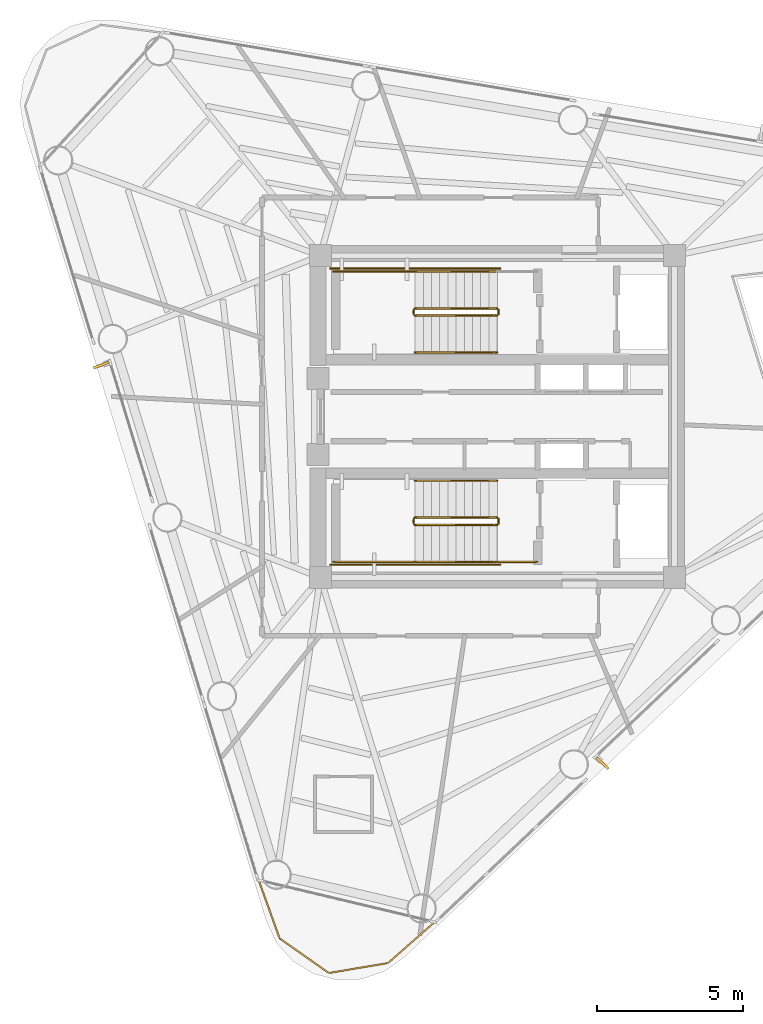
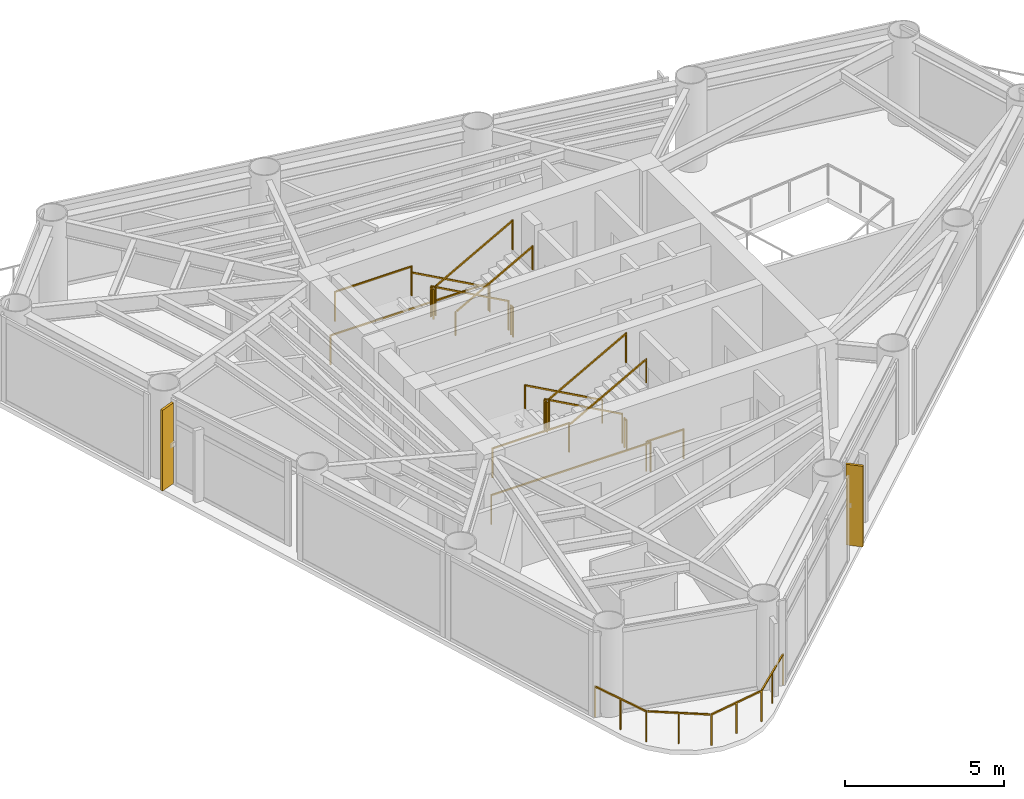
# One storey, part 8 of 9: 18 railings, 2 shading devices.
"""IFC4 building model written with IfcOpenShell, lengths in metres."""

import ifcopenshell
import ifcopenshell.guid

model = None  # the IFC model being written
_history = None  # IfcOwnerHistory: only IFC2X3 demands one
_inside = {}  # id of a spatial element -> (the spatial element, [elements in it])
_under = {}  # id of a project, library or spatial element -> (it, [spatial elements below it])
_declared = {}  # id of a project -> (the project, [libraries it declares])
_typed = {}  # id of a type object -> (the type object, [elements of that type])
_made_of = {}  # id of a material, layer set ... -> (it, [elements and type objects made of it])


def new_model(schema):
    """Start an empty IFC model of exactly this schema.

    Asked for "IFC4X3", IfcOpenShell would pick the latest addendum, in which some entities
    have other attributes; the version numbers below select the first issue.
    IFC2X3 requires an IfcOwnerHistory on every rooted entity: one is made here for all.
    """
    global model, _history
    if schema == "IFC4X3":
        model = ifcopenshell.file(schema_version=(4, 3, 0, 0))
    else:
        model = ifcopenshell.file(schema=schema)
    _inside.clear()
    _under.clear()
    _declared.clear()
    _typed.clear()
    _made_of.clear()
    _history = None
    if model.schema == "IFC2X3":
        org = make("IfcOrganization", Name="unknown")
        user = make(
            "IfcPersonAndOrganization",
            ThePerson=make("IfcPerson", FamilyName="unknown"),
            TheOrganization=org,
        )
        app = make(
            "IfcApplication",
            ApplicationDeveloper=org,
            Version="unknown",
            ApplicationFullName="unknown",
            ApplicationIdentifier="unknown",
        )
        _history = make(
            "IfcOwnerHistory",
            OwningUser=user,
            OwningApplication=app,
            ChangeAction="ADDED",
            CreationDate=0,
        )
    return model


def make(cls, **values):
    """One entity of the class cls with the attributes given. An attribute that is None is left unset."""
    return model.create_entity(
        cls, **{name: value for name, value in values.items() if value is not None}
    )


def rooted(cls, **values):
    """An entity with a GlobalId (a new one), such as an element, a storey or a relation."""
    return make(cls, GlobalId=ifcopenshell.guid.new(), OwnerHistory=_history, **values)


def si_unit(unit_type, name, prefix=None):
    """IfcSIUnit, for example si_unit("LENGTHUNIT", "METRE", prefix="MILLI")."""
    return make("IfcSIUnit", UnitType=unit_type, Prefix=prefix, Name=name)


def assignment(units):
    """IfcUnitAssignment: the units of a project."""
    return None if units is None else make("IfcUnitAssignment", Units=units)


def point(xyz):
    """IfcCartesianPoint."""
    return None if xyz is None else make("IfcCartesianPoint", Coordinates=xyz)


def direction(xyz):
    """IfcDirection."""
    return None if xyz is None else make("IfcDirection", DirectionRatios=xyz)


def frame(location, z_axis=None, x_axis=None):
    """IfcAxis2Placement3D, a coordinate frame: its origin and axes. An axis left out is left unset."""
    return make(
        "IfcAxis2Placement3D",
        Location=point(location),
        Axis=direction(z_axis),
        RefDirection=direction(x_axis),
    )


def frame_2d(location, x_axis=None):
    """IfcAxis2Placement2D, a coordinate frame in the plane: its origin and x axis."""
    return make(
        "IfcAxis2Placement2D", Location=point(location), RefDirection=direction(x_axis)
    )


def origin():
    """The frame at (0, 0, 0) with its axes left unset."""
    return frame((0.0, 0.0, 0.0))


def origin_2d():
    """The frame at (0, 0) in the plane with its x axis left unset."""
    return frame_2d((0.0, 0.0))


def place(relative_to, where):
    """IfcLocalPlacement: puts the frame where relative to a parent placement (None: the world)."""
    return make(
        "IfcLocalPlacement", PlacementRelTo=relative_to, RelativePlacement=where
    )


def context(
    kind, dimensions, precision=None, world=None, true_north=None, identifier=None
):
    """IfcGeometricRepresentationContext, for example the 3D "Model" context."""
    return make(
        "IfcGeometricRepresentationContext",
        ContextIdentifier=identifier,
        ContextType=kind,
        CoordinateSpaceDimension=dimensions,
        Precision=precision,
        WorldCoordinateSystem=world,
        TrueNorth=true_north,
    )


def subcontext(parent, identifier, kind, view, scale=None):
    """IfcGeometricRepresentationSubContext, for example "Body" below "Model"."""
    return make(
        "IfcGeometricRepresentationSubContext",
        ContextIdentifier=identifier,
        ContextType=kind,
        ParentContext=parent,
        TargetScale=scale,
        TargetView=view,
    )


def project(units=None, contexts=None):
    """IfcProject with its units and contexts."""
    return rooted(
        "IfcProject",
        Name="project",
        RepresentationContexts=contexts,
        UnitsInContext=assignment(units),
    )


def spatial(cls, under=None, at=None, **own):
    """A site, building, storey or space (cls), placed at a placement, below another one or the project."""
    s = rooted(cls, ObjectPlacement=at, **own)
    if under is not None:
        _under.setdefault(under.id(), (under, []))[1].append(s)
    return s


def profile(cls, at=None, kind="AREA", **sizes):
    """A parametric profile (cls). Its sizes go by their IFC names, for example OverallWidth=200.0."""
    return make(cls, ProfileType=kind, Position=at, **sizes)


def rectangle(**sizes):
    """IfcRectangleProfileDef."""
    return profile("IfcRectangleProfileDef", **sizes)


def extrude(swept, where, along, depth):
    """IfcExtrudedAreaSolid: the profile swept, set in the frame where, extruded along a direction by depth."""
    return make(
        "IfcExtrudedAreaSolid",
        SweptArea=swept,
        Position=where,
        ExtrudedDirection=direction(along),
        Depth=depth,
    )


def shape(context_of_items, identifier, shape_type, items):
    """IfcShapeRepresentation: the items that make up one representation, for example the "Body"."""
    return make(
        "IfcShapeRepresentation",
        ContextOfItems=context_of_items,
        RepresentationIdentifier=identifier,
        RepresentationType=shape_type,
        Items=items,
    )


def source(mapping_origin, context_of_items, identifier, shape_type, items):
    """IfcRepresentationMap: a shape defined once, which mapped items show again and again."""
    return make(
        "IfcRepresentationMap",
        MappingOrigin=mapping_origin,
        MappedRepresentation=shape(context_of_items, identifier, shape_type, items),
    )


def transform(
    local_origin,
    x_axis=None,
    y_axis=None,
    z_axis=None,
    scale=None,
    scale2=None,
    scale3=None,
    uniform=True,
):
    """IfcCartesianTransformationOperator3D, or its non-uniform kind. x_axis, y_axis, z_axis: its Axis1, 2, 3."""
    if uniform:
        return make(
            "IfcCartesianTransformationOperator3D",
            Axis1=direction(x_axis),
            Axis2=direction(y_axis),
            LocalOrigin=point(local_origin),
            Scale=scale,
            Axis3=direction(z_axis),
        )
    return make(
        "IfcCartesianTransformationOperator3DnonUniform",
        Axis1=direction(x_axis),
        Axis2=direction(y_axis),
        LocalOrigin=point(local_origin),
        Scale=scale,
        Axis3=direction(z_axis),
        Scale2=scale2,
        Scale3=scale3,
    )


def mapped(mapping_source, mapping_target):
    """IfcMappedItem: shows the shape of a source again, moved by a transform."""
    return make(
        "IfcMappedItem", MappingSource=mapping_source, MappingTarget=mapping_target
    )


def material(Name=None, Category=None):
    """IfcMaterial."""
    return make("IfcMaterial", Name=Name, Category=Category)


def material_profile(
    of_material, cross_section, Name=None, Category=None, Priority=None
):
    """IfcMaterialProfile: a cross section and its material."""
    return make(
        "IfcMaterialProfile",
        Name=Name,
        Material=of_material,
        Profile=cross_section,
        Priority=Priority,
        Category=Category,
    )


def profile_set(profiles, Name=None, composite=None):
    """IfcMaterialProfileSet."""
    return make(
        "IfcMaterialProfileSet",
        Name=Name,
        MaterialProfiles=profiles,
        CompositeProfile=composite,
    )


def made_of(thing, what):
    """Note that an element or type object is made of a material, layer set ...; save() writes the relation."""
    if what is not None:
        _made_of.setdefault(what.id(), (what, []))[1].append(thing)
    return thing


def type_object(cls, material=None, **own):
    """A type object (cls), such as IfcWallType, which elements share."""
    return made_of(rooted(cls, **own), material)


def element(
    cls,
    number,
    at=None,
    inside=None,
    cuts=None,
    type_object=None,
    material=None,
    context=None,
    identifier="Body",
    shape_type=None,
    held_by="IfcProductDefinitionShape",
    body=None,
    shapes=None,
    **own,
):
    """One element of the class cls, such as IfcWall. Its Tag is "e" and its number.

    at: its placement. inside: the storey or other place that contains it. cuts: it is an
    opening in that element (IfcRelVoidsElement). A single representation is given by context,
    identifier, shape_type and body (its items); several are given by shapes. held_by: the class
    of the entity that holds the representations. save() writes the other relations.
    """
    e = rooted(cls, Tag="e%d" % number, ObjectPlacement=at, **own)
    if body is not None:
        shapes = [shape(context, identifier, shape_type, body)]
    if shapes is not None:
        e.Representation = make(held_by, Representations=shapes)
    if inside is not None:
        _inside.setdefault(inside.id(), (inside, []))[1].append(e)
    if cuts is not None:
        rooted(
            "IfcRelVoidsElement", RelatingBuildingElement=cuts, RelatedOpeningElement=e
        )
    if type_object is not None:
        _typed.setdefault(type_object.id(), (type_object, []))[1].append(e)
    return made_of(e, material)


def aggregate(whole, parts):
    """IfcRelAggregates: a whole, such as a stair, and the parts it consists of."""
    return rooted("IfcRelAggregates", RelatingObject=whole, RelatedObjects=parts)


def save(model, path):
    """Write the relations noted so far, then the file.

    IfcRelAggregates (storeys below a building ...), IfcRelContainedInSpatialStructure (elements
    in a storey), IfcRelDefinesByType, IfcRelAssociatesMaterial and IfcRelDeclares: one each for
    every whole, place, type object, material and project.
    """
    for whole, parts in _under.values():
        aggregate(whole, parts)
    for where, things in _inside.values():
        rooted(
            "IfcRelContainedInSpatialStructure",
            RelatedElements=things,
            RelatingStructure=where,
        )
    for kind, things in _typed.values():
        rooted("IfcRelDefinesByType", RelatedObjects=things, RelatingType=kind)
    for what, things in _made_of.values():
        rooted("IfcRelAssociatesMaterial", RelatedObjects=things, RelatingMaterial=what)
    for by, libraries in _declared.values():
        rooted("IfcRelDeclares", RelatingContext=by, RelatedDefinitions=libraries)
    model.write(path)


model = new_model("IFC4")

# Units and contexts
model_context = context("Model", 3, precision=1e-05, world=origin(), true_north=direction((0.0, 1.0)))
body_context = subcontext(model_context, "Body", "Model", "MODEL_VIEW")
ifc_project = project(units=[si_unit("LENGTHUNIT", "METRE"), si_unit("AREAUNIT", "SQUARE_METRE"), si_unit("VOLUMEUNIT", "CUBIC_METRE"), si_unit("PLANEANGLEUNIT", "RADIAN"), si_unit("MASSUNIT", "GRAM", prefix="KILO")], contexts=[model_context])

# Site, building, storey
site_placement = place(None, origin())
site = spatial("IfcSite", under=ifc_project, at=site_placement, CompositionType="ELEMENT")
building_placement = place(site_placement, origin())
building = spatial("IfcBuilding", under=site, at=building_placement, Name="Yunling Apex Tower", CompositionType="ELEMENT")
storey_placement = place(building_placement, frame((0.0, 0.0, 232.050048828125)))
storey = spatial("IfcBuildingStorey", under=building, at=storey_placement, Name="L56", CompositionType="ELEMENT", Elevation=232.050048828125)

# Railings
ifc_material_1 = material(Name="Bronze anodised aluminium", Category="aluminium")
railing_type_1 = type_object("IfcRailingType", Name="RL-BAL-1200", PredefinedType="BALUSTRADE", material=ifc_material_1)
railing_1_placement = place(storey_placement, frame((-2.147216796875, -17.2724609375, 0.0)))
element("IfcRailing", 1, at=railing_1_placement, inside=storey, type_object=railing_type_1, Name="RL-CRNSILL-L56-3", PredefinedType="BALUSTRADE", context=body_context, shape_type="SweptSolid", body=[
    extrude(rectangle(XDim=0.0439453125, YDim=0.0439453125, at=origin_2d()), origin(), (0.0, 0.0, 1.0), 1.199951171875),
    extrude(rectangle(XDim=0.0439453125, YDim=0.0439453125, at=origin_2d()), frame((-1.58740234375, -1.396728515625, 0.0)), (0.0, 0.0, 1.0), 1.199951171875),
    extrude(rectangle(XDim=0.050048828125, YDim=0.050048828125, at=origin_2d()), frame((-0.02880859375, -0.025390625, 1.1748046875), z_axis=(-0.750757036125, -0.660578437968, 0.0), x_axis=(0.660578437968, -0.750757036125, 0.0)), (0.0, 0.0, 1.0), 2.037841796875),
    extrude(rectangle(XDim=0.0439453125, YDim=0.0439453125, at=origin_2d()), frame((-0.793701171875, -0.6982421875, 0.0)), (0.0, 0.0, 1.0), 1.14599609375),
    extrude(rectangle(XDim=0.0439453125, YDim=0.0439453125, at=origin_2d()), frame((-3.609130859375, -1.738525390625, 0.0)), (0.0, 0.0, 1.0), 1.199951171875),
    extrude(rectangle(XDim=0.050048828125, YDim=0.050048828125, at=origin_2d()), frame((-1.625244140625, -1.403076171875, 1.1748046875), z_axis=(-0.986008296857, -0.166696246299, 0.0), x_axis=(0.166696246299, -0.986008296857, 0.0)), (0.0, 0.0, 1.0), 1.973876953125),
    extrude(rectangle(XDim=0.0439453125, YDim=0.0439453125, at=origin_2d()), frame((-2.59814453125, -1.567626953125, 0.0)), (0.0, 0.0, 1.0), 1.14599609375),
    extrude(rectangle(XDim=0.0439453125, YDim=0.0439453125, at=origin_2d()), frame((-5.29296875, -0.556884765625, 0.0)), (0.0, 0.0, 1.0), 1.199951171875),
    extrude(rectangle(XDim=0.050048828125, YDim=0.050048828125, at=origin_2d()), frame((-3.640625, -1.716552734375, 1.1748046875), z_axis=(-0.818556692462, 0.574425749096, 0.0), x_axis=(-0.574425749096, -0.818556692462, 0.0)), (0.0, 0.0, 1.0), 1.98046875),
    extrude(rectangle(XDim=0.0439453125, YDim=0.0439453125, at=origin_2d()), frame((-4.451171875, -1.147705078125, 0.0)), (0.0, 0.0, 1.0), 1.14599609375),
    extrude(rectangle(XDim=0.0439453125, YDim=0.0439453125, at=origin_2d()), frame((-6.0087890625, 1.431884765625, 0.0)), (0.0, 0.0, 1.0), 1.199951171875),
    extrude(rectangle(XDim=0.050048828125, YDim=0.050048828125, at=origin_2d()), frame((-5.305908203125, -0.520751953125, 1.1748046875), z_axis=(-0.338662205699, 0.940908024427, 0.0), x_axis=(-0.940908024427, -0.338662205699, 0.0)), (0.0, 0.0, 1.0), 2.037109375),
    extrude(rectangle(XDim=0.0439453125, YDim=0.0439453125, at=origin_2d()), frame((-5.65087890625, 0.4375, 0.0)), (0.0, 0.0, 1.0), 1.14599609375),
])
ifc_material_2 = material(Name="Steel Q355B", Category="steel")
railing_type_2 = type_object("IfcRailingType", Name="RL-GRD-1150", PredefinedType="GUARDRAIL", material=ifc_material_2)
railing_2_placement = place(storey_placement, frame((-0.010009765625, 3.699951171875, 0.154541015625)))
element("IfcRailing", 2, at=railing_2_placement, inside=storey, type_object=railing_type_2, Name="L56 ST-1 stair guard 1", PredefinedType="GUARDRAIL", context=body_context, shape_type="SweptSolid", body=[
    extrude(rectangle(XDim=0.0439453125, YDim=0.0439453125, at=origin_2d()), origin(), (0.0, 0.0, 1.0), 1.14990234375),
    extrude(rectangle(XDim=0.0439453125, YDim=0.0439453125, at=origin_2d()), frame((-2.800048828125, 0.0, 1.54541015625)), (0.0, 0.0, 1.0), 1.14990234375),
    extrude(rectangle(XDim=0.050048828125, YDim=0.050048828125, at=origin_2d()), frame((-0.033447265625, 0.0, 1.143310546875), z_axis=(-0.875504190374, 0.0, 0.483210526207), x_axis=(0.0, -1.0, 0.0)), (0.0, 0.0, 1.0), 3.12158203125),
])
railing_3_placement = place(storey_placement, frame((-2.860107421875, 3.64990234375, 1.699951171875)))
element("IfcRailing", 3, at=railing_3_placement, inside=storey, type_object=railing_type_2, Name="L56 ST-1 stair guard 2", PredefinedType="GUARDRAIL", context=body_context, shape_type="SweptSolid", body=[
    extrude(rectangle(XDim=0.0439453125, YDim=0.0439453125, at=origin_2d()), origin(), (0.0, 0.0, 1.0), 1.14990234375),
    extrude(rectangle(XDim=0.0439453125, YDim=0.0439453125, at=origin_2d()), frame((0.0, -0.14990234375, 0.0)), (0.0, 0.0, 1.0), 1.14990234375),
    extrude(rectangle(XDim=0.050048828125, YDim=0.050048828125, at=origin_2d()), frame((0.0, -0.038330078125, 1.125), z_axis=(0.0, -1.0, 0.0), x_axis=(1.0, 0.0, 0.0)), (0.0, 0.0, 1.0), 0.0732421875),
])
railing_4_placement = place(storey_placement, frame((-2.81005859375, 4.9599609375, 1.699951171875)))
element("IfcRailing", 4, at=railing_4_placement, inside=storey, type_object=railing_type_2, Name="L56 ST-1 stair guard 3", PredefinedType="GUARDRAIL", context=body_context, shape_type="SweptSolid", body=[
    extrude(rectangle(XDim=0.0439453125, YDim=0.0439453125, at=origin_2d()), origin(), (0.0, 0.0, 1.0), 1.14990234375),
    extrude(rectangle(XDim=0.0439453125, YDim=0.0439453125, at=origin_2d()), frame((-2.7900390625, 0.0, 0.0)), (0.0, 0.0, 1.0), 1.14990234375),
    extrude(rectangle(XDim=0.050048828125, YDim=0.050048828125, at=origin_2d()), frame((-0.038330078125, 0.0, 1.125), z_axis=(-1.0, 0.0, 0.0), x_axis=(0.0, -1.0, 0.0)), (0.0, 0.0, 1.0), 2.71337890625),
])
railing_5_placement = place(storey_placement, frame((-2.81005859375, 3.449951171875, 1.8544921875)))
element("IfcRailing", 5, at=railing_5_placement, inside=storey, type_object=railing_type_2, Name="L56 ST-1 stair guard 4", PredefinedType="GUARDRAIL", context=body_context, shape_type="SweptSolid", body=[
    extrude(rectangle(XDim=0.0439453125, YDim=0.0439453125, at=origin_2d()), origin(), (0.0, 0.0, 1.0), 1.14990234375),
    extrude(rectangle(XDim=0.0439453125, YDim=0.0439453125, at=origin_2d()), frame((2.800048828125, 0.0, 1.54541015625)), (0.0, 0.0, 1.0), 1.14990234375),
    extrude(rectangle(XDim=0.050048828125, YDim=0.050048828125, at=origin_2d()), frame((0.033447265625, 0.0, 1.143310546875), z_axis=(0.875504190374, 0.0, 0.483210526207), x_axis=(0.0, 1.0, 0.0)), (0.0, 0.0, 1.0), 3.12158203125),
])
railing_6_placement = place(storey_placement, frame((0.0400390625, 3.64990234375, 0.0)))
element("IfcRailing", 6, at=railing_6_placement, inside=storey, type_object=railing_type_2, Name="L56 ST-1 stair guard 5", PredefinedType="GUARDRAIL", context=body_context, shape_type="SweptSolid", body=[
    extrude(rectangle(XDim=0.0439453125, YDim=0.0439453125, at=origin_2d()), origin(), (0.0, 0.0, 1.0), 1.14990234375),
    extrude(rectangle(XDim=0.0439453125, YDim=0.0439453125, at=origin_2d()), frame((0.0, -0.14990234375, 0.0)), (0.0, 0.0, 1.0), 1.14990234375),
    extrude(rectangle(XDim=0.050048828125, YDim=0.050048828125, at=origin_2d()), frame((0.0, -0.038330078125, 1.125), z_axis=(0.0, -1.0, 0.0), x_axis=(1.0, 0.0, 0.0)), (0.0, 0.0, 1.0), 0.0732421875),
])
railing_7_placement = place(storey_placement, frame((0.090087890625, 5.06005859375, 0.0)))
element("IfcRailing", 7, at=railing_7_placement, inside=storey, type_object=railing_type_2, Name="L56 ST-1 stair guard 7", PredefinedType="GUARDRAIL", context=body_context, shape_type="SweptSolid", body=[
    extrude(rectangle(XDim=0.0439453125, YDim=0.0439453125, at=origin_2d()), origin(), (0.0, 0.0, 1.0), 1.14990234375),
    extrude(rectangle(XDim=0.0439453125, YDim=0.0439453125, at=origin_2d()), frame((-5.7900390625, 0.0, 0.0)), (0.0, 0.0, 1.0), 1.14990234375),
    extrude(rectangle(XDim=0.050048828125, YDim=0.050048828125, at=origin_2d()), frame((-0.038330078125, 0.0, 1.125), z_axis=(-1.0, 0.0, 0.0), x_axis=(0.0, -1.0, 0.0)), (0.0, 0.0, 1.0), 5.71337890625),
])
railing_8_placement = place(storey_placement, frame((-0.010009765625, -3.449951171875, 0.154541015625)))
element("IfcRailing", 8, at=railing_8_placement, inside=storey, type_object=railing_type_2, Name="L56 ST-2 stair guard 1", PredefinedType="GUARDRAIL", context=body_context, shape_type="SweptSolid", body=[
    extrude(rectangle(XDim=0.0439453125, YDim=0.0439453125, at=origin_2d()), origin(), (0.0, 0.0, 1.0), 1.14990234375),
    extrude(rectangle(XDim=0.0439453125, YDim=0.0439453125, at=origin_2d()), frame((-2.800048828125, 0.0, 1.54541015625)), (0.0, 0.0, 1.0), 1.14990234375),
    extrude(rectangle(XDim=0.050048828125, YDim=0.050048828125, at=origin_2d()), frame((-0.033447265625, 0.0, 1.143310546875), z_axis=(-0.875504190374, 0.0, 0.483210526207), x_axis=(0.0, -1.0, 0.0)), (0.0, 0.0, 1.0), 3.12158203125),
])
railing_9_placement = place(storey_placement, frame((-2.860107421875, -3.5, 1.699951171875)))
element("IfcRailing", 9, at=railing_9_placement, inside=storey, type_object=railing_type_2, Name="L56 ST-2 stair guard 2", PredefinedType="GUARDRAIL", context=body_context, shape_type="SweptSolid", body=[
    extrude(rectangle(XDim=0.0439453125, YDim=0.0439453125, at=origin_2d()), origin(), (0.0, 0.0, 1.0), 1.14990234375),
    extrude(rectangle(XDim=0.0439453125, YDim=0.0439453125, at=origin_2d()), frame((0.0, -0.14990234375, 0.0)), (0.0, 0.0, 1.0), 1.14990234375),
    extrude(rectangle(XDim=0.050048828125, YDim=0.050048828125, at=origin_2d()), frame((0.0, -0.038330078125, 1.125), z_axis=(0.0, -1.0, 0.0), x_axis=(1.0, 0.0, 0.0)), (0.0, 0.0, 1.0), 0.0732421875),
])
railing_10_placement = place(storey_placement, frame((-2.81005859375, -4.9599609375, 1.699951171875)))
element("IfcRailing", 10, at=railing_10_placement, inside=storey, type_object=railing_type_2, Name="L56 ST-2 stair guard 3", PredefinedType="GUARDRAIL", context=body_context, shape_type="SweptSolid", body=[
    extrude(rectangle(XDim=0.0439453125, YDim=0.0439453125, at=origin_2d()), origin(), (0.0, 0.0, 1.0), 1.14990234375),
    extrude(rectangle(XDim=0.0439453125, YDim=0.0439453125, at=origin_2d()), frame((-2.7900390625, 0.0, 0.0)), (0.0, 0.0, 1.0), 1.14990234375),
    extrude(rectangle(XDim=0.050048828125, YDim=0.050048828125, at=origin_2d()), frame((-0.038330078125, 0.0, 1.125), z_axis=(-1.0, 0.0, 0.0), x_axis=(0.0, -1.0, 0.0)), (0.0, 0.0, 1.0), 2.71337890625),
])
railing_11_placement = place(storey_placement, frame((-2.81005859375, -3.699951171875, 1.8544921875)))
element("IfcRailing", 11, at=railing_11_placement, inside=storey, type_object=railing_type_2, Name="L56 ST-2 stair guard 4", PredefinedType="GUARDRAIL", context=body_context, shape_type="SweptSolid", body=[
    extrude(rectangle(XDim=0.0439453125, YDim=0.0439453125, at=origin_2d()), origin(), (0.0, 0.0, 1.0), 1.14990234375),
    extrude(rectangle(XDim=0.0439453125, YDim=0.0439453125, at=origin_2d()), frame((2.800048828125, 0.0, 1.54541015625)), (0.0, 0.0, 1.0), 1.14990234375),
    extrude(rectangle(XDim=0.050048828125, YDim=0.050048828125, at=origin_2d()), frame((0.033447265625, 0.0, 1.143310546875), z_axis=(0.875504190374, 0.0, 0.483210526207), x_axis=(0.0, 1.0, 0.0)), (0.0, 0.0, 1.0), 3.12158203125),
])
railing_12_placement = place(storey_placement, frame((0.0400390625, -3.5, 0.0)))
element("IfcRailing", 12, at=railing_12_placement, inside=storey, type_object=railing_type_2, Name="L56 ST-2 stair guard 5", PredefinedType="GUARDRAIL", context=body_context, shape_type="SweptSolid", body=[
    extrude(rectangle(XDim=0.0439453125, YDim=0.0439453125, at=origin_2d()), origin(), (0.0, 0.0, 1.0), 1.14990234375),
    extrude(rectangle(XDim=0.0439453125, YDim=0.0439453125, at=origin_2d()), frame((0.0, -0.14990234375, 0.0)), (0.0, 0.0, 1.0), 1.14990234375),
    extrude(rectangle(XDim=0.050048828125, YDim=0.050048828125, at=origin_2d()), frame((0.0, -0.038330078125, 1.125), z_axis=(0.0, -1.0, 0.0), x_axis=(1.0, 0.0, 0.0)), (0.0, 0.0, 1.0), 0.0732421875),
])
railing_13_placement = place(storey_placement, frame((1.35009765625, -4.9599609375, 0.0)))
element("IfcRailing", 13, at=railing_13_placement, inside=storey, type_object=railing_type_2, Name="L56 ST-2 stair guard 6", PredefinedType="GUARDRAIL", context=body_context, shape_type="SweptSolid", body=[
    extrude(rectangle(XDim=0.0439453125, YDim=0.0439453125, at=origin_2d()), origin(), (0.0, 0.0, 1.0), 1.14990234375),
    extrude(rectangle(XDim=0.0439453125, YDim=0.0439453125, at=origin_2d()), frame((-1.360107421875, 0.0, 0.0)), (0.0, 0.0, 1.0), 1.14990234375),
    extrude(rectangle(XDim=0.050048828125, YDim=0.050048828125, at=origin_2d()), frame((-0.038330078125, 0.0, 1.125), z_axis=(-1.0, 0.0, 0.0), x_axis=(0.0, -1.0, 0.0)), (0.0, 0.0, 1.0), 1.283447265625),
])
railing_14_placement = place(storey_placement, frame((0.090087890625, -5.06005859375, 0.0)))
element("IfcRailing", 14, at=railing_14_placement, inside=storey, type_object=railing_type_2, Name="L56 ST-2 stair guard 7", PredefinedType="GUARDRAIL", context=body_context, shape_type="SweptSolid", body=[
    extrude(rectangle(XDim=0.0439453125, YDim=0.0439453125, at=origin_2d()), origin(), (0.0, 0.0, 1.0), 1.14990234375),
    extrude(rectangle(XDim=0.0439453125, YDim=0.0439453125, at=origin_2d()), frame((-5.7900390625, 0.0, 0.0)), (0.0, 0.0, 1.0), 1.14990234375),
    extrude(rectangle(XDim=0.050048828125, YDim=0.050048828125, at=origin_2d()), frame((-0.038330078125, 0.0, 1.125), z_axis=(-1.0, 0.0, 0.0), x_axis=(0.0, -1.0, 0.0)), (0.0, 0.0, 1.0), 5.71337890625),
])
ifc_material_3 = material(Name="Silver anodised aluminium", Category="aluminium")
railing_type_3 = type_object("IfcRailingType", Name="RL-HND-900", PredefinedType="HANDRAIL", material=ifc_material_3)
railing_15_placement = place(storey_placement, frame((-0.010009765625, 4.9599609375, 0.154541015625)))
element("IfcRailing", 15, at=railing_15_placement, inside=storey, type_object=railing_type_3, Name="L56 ST-1 stair handrail 1", PredefinedType="HANDRAIL", context=body_context, shape_type="SweptSolid", body=[
    extrude(rectangle(XDim=0.0439453125, YDim=0.0439453125, at=origin_2d()), origin(), (0.0, 0.0, 1.0), 0.919921875),
    extrude(rectangle(XDim=0.0439453125, YDim=0.0439453125, at=origin_2d()), frame((-2.800048828125, 0.0, 1.54541015625)), (0.0, 0.0, 1.0), 0.919921875),
    extrude(rectangle(XDim=0.050048828125, YDim=0.050048828125, at=origin_2d()), frame((-0.033447265625, 0.0, 0.913330078125), z_axis=(-0.875504190374, 0.0, 0.483210526207), x_axis=(0.0, -1.0, 0.0)), (0.0, 0.0, 1.0), 3.12158203125),
])
railing_16_placement = place(storey_placement, frame((-2.81005859375, 2.18994140625, 1.8544921875)))
element("IfcRailing", 16, at=railing_16_placement, inside=storey, type_object=railing_type_3, Name="L56 ST-1 stair handrail 2", PredefinedType="HANDRAIL", context=body_context, shape_type="SweptSolid", body=[
    extrude(rectangle(XDim=0.0439453125, YDim=0.0439453125, at=origin_2d()), origin(), (0.0, 0.0, 1.0), 0.919921875),
    extrude(rectangle(XDim=0.0439453125, YDim=0.0439453125, at=origin_2d()), frame((2.800048828125, 0.0, 1.54541015625)), (0.0, 0.0, 1.0), 0.919921875),
    extrude(rectangle(XDim=0.050048828125, YDim=0.050048828125, at=origin_2d()), frame((0.033447265625, 0.0, 0.913330078125), z_axis=(0.875504190374, 0.0, 0.483210526207), x_axis=(0.0, 1.0, 0.0)), (0.0, 0.0, 1.0), 3.12158203125),
])
railing_17_placement = place(storey_placement, frame((-0.010009765625, -2.18994140625, 0.154541015625)))
element("IfcRailing", 17, at=railing_17_placement, inside=storey, type_object=railing_type_3, Name="L56 ST-2 stair handrail 1", PredefinedType="HANDRAIL", context=body_context, shape_type="SweptSolid", body=[
    extrude(rectangle(XDim=0.0439453125, YDim=0.0439453125, at=origin_2d()), origin(), (0.0, 0.0, 1.0), 0.919921875),
    extrude(rectangle(XDim=0.0439453125, YDim=0.0439453125, at=origin_2d()), frame((-2.800048828125, 0.0, 1.54541015625)), (0.0, 0.0, 1.0), 0.919921875),
    extrude(rectangle(XDim=0.050048828125, YDim=0.050048828125, at=origin_2d()), frame((-0.033447265625, 0.0, 0.913330078125), z_axis=(-0.875504190374, 0.0, 0.483210526207), x_axis=(0.0, -1.0, 0.0)), (0.0, 0.0, 1.0), 3.12158203125),
])
railing_18_placement = place(storey_placement, frame((-2.81005859375, -4.9599609375, 1.8544921875)))
element("IfcRailing", 18, at=railing_18_placement, inside=storey, type_object=railing_type_3, Name="L56 ST-2 stair handrail 2", PredefinedType="HANDRAIL", context=body_context, shape_type="SweptSolid", body=[
    extrude(rectangle(XDim=0.0439453125, YDim=0.0439453125, at=origin_2d()), origin(), (0.0, 0.0, 1.0), 0.919921875),
    extrude(rectangle(XDim=0.0439453125, YDim=0.0439453125, at=origin_2d()), frame((2.800048828125, 0.0, 1.54541015625)), (0.0, 0.0, 1.0), 0.919921875),
    extrude(rectangle(XDim=0.050048828125, YDim=0.050048828125, at=origin_2d()), frame((0.033447265625, 0.0, 0.913330078125), z_axis=(0.875504190374, 0.0, 0.483210526207), x_axis=(0.0, 1.0, 0.0)), (0.0, 0.0, 1.0), 3.12158203125),
])

# Shading devices
ifc_material_profile = material_profile(ifc_material_1, rectangle(XDim=0.0849609375, YDim=0.550048828125, at=origin_2d()))
ifc_profile_set = profile_set([ifc_material_profile], Name="Bronze anodised aluminium")
shading_device_type = type_object("IfcShadingDeviceType", Name="FN-BRZ-3", PredefinedType="USERDEFINED", material=ifc_profile_set)
shared_shape = source(origin(), body_context, "Body", "SweptSolid", [
    extrude(rectangle(XDim=0.0849609375, YDim=0.550048828125, at=origin_2d()), origin(), (0.0, 0.0, 1.0), 3.10009765625),
])
for number, where, z_axis, x_axis, name in (
    (19, (3.591552734375, -11.841064453125, 0.059814453125), (0.0, 0.0, 1.0), (0.679313233894, 0.733848438205, 0.0), "CW-L56-F1-B2-FIN-01"),
    (20, (-13.5419921875, 1.759521484375, 0.059814453125), (0.0, 0.0, 1.0), (0.354291037998, -0.935135209686, 0.0), "CW-L56-F3-B2-FIN-01"),
):
    element("IfcShadingDevice", number, at=place(storey_placement, frame(where, z_axis=z_axis, x_axis=x_axis)), inside=storey, type_object=shading_device_type, Name=name, ObjectType="FIN", PredefinedType="USERDEFINED", context=body_context, shape_type="MappedRepresentation", body=[
        mapped(shared_shape, transform((0.0, 0.0, 0.0), scale=1.0)),
    ])

save(model, "model.ifc")
